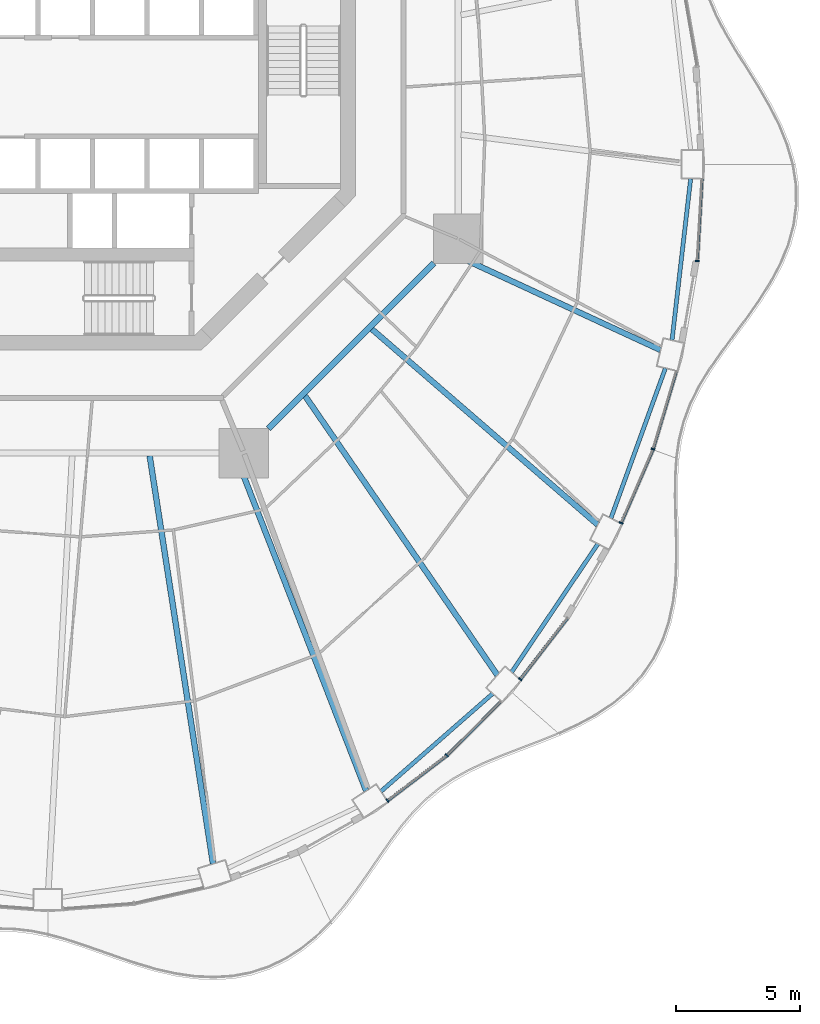
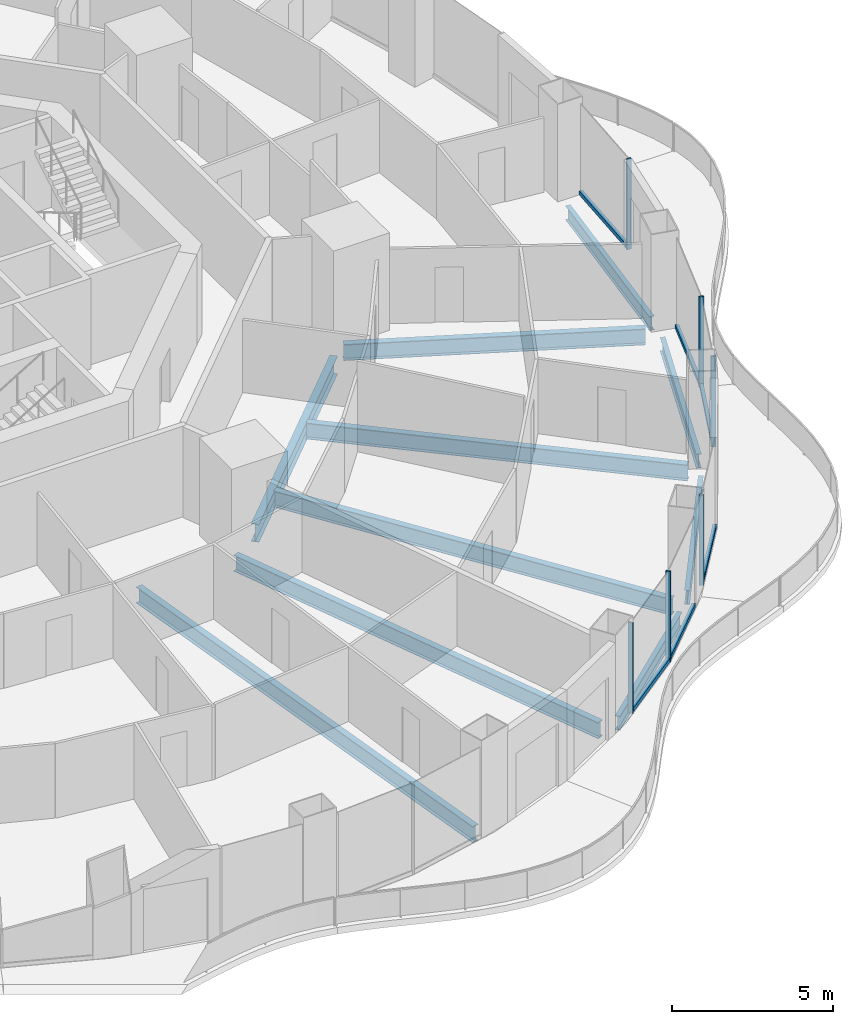
# One storey, part 5 of 19: 12 members, 10 beams, 6 elements without a shape of their own.
"""IFC4 building model written with IfcOpenShell, lengths in metres."""

from ifc_helpers import new_model, si_unit, direction, frame, origin, origin_2d, place, context, subcontext, project, spatial, rectangle, i_section, extrude, material, layer, layer_set, material_profile, profile_set, type_object, element, aggregate, save


model = new_model("IFC4")

# Units and contexts
model_context = context("Model", 3, precision=1e-05, world=origin(), true_north=direction((0.0, 1.0)))
body_context = subcontext(model_context, "Body", "Model", "MODEL_VIEW")
ifc_project = project(units=[si_unit("LENGTHUNIT", "METRE"), si_unit("AREAUNIT", "SQUARE_METRE"), si_unit("VOLUMEUNIT", "CUBIC_METRE"), si_unit("PLANEANGLEUNIT", "RADIAN"), si_unit("MASSUNIT", "GRAM", prefix="KILO")], contexts=[model_context])

# Site, building, storey
site_placement = place(None, origin())
site = spatial("IfcSite", under=ifc_project, at=site_placement, CompositionType="ELEMENT")
building_placement = place(site_placement, origin())
building = spatial("IfcBuilding", under=site, at=building_placement, Name="Nagisa Residences", CompositionType="ELEMENT")
storey_placement = place(building_placement, frame((0.0, 0.0, 127.0)))
storey = spatial("IfcBuildingStorey", under=building, at=storey_placement, Name="L31", CompositionType="ELEMENT", Elevation=127.0)

# Curtain wall, member
ifc_material_1 = material(Name="Concrete-coloured aluminium curtain wall system", Category="concrete")
ifc_layer = layer(ifc_material_1, 0.159912109375)
ifc_layer_set = layer_set([ifc_layer], Name="CW1 CURTAIN WALL")
curtain_wall_type = type_object("IfcCurtainWallType", Name="CW1 CURTAIN WALL", PredefinedType="NOTDEFINED", material=ifc_layer_set)
curtain_wall_1_placement = place(storey_placement, origin())
curtain_wall_1 = element("IfcCurtainWall", 1, at=curtain_wall_1_placement, inside=storey, type_object=curtain_wall_type, Name="cw:CW1:L31:40", PredefinedType="NOTDEFINED")
ifc_material_2 = material(Name="Concrete-coloured aluminium", Category="concrete")
ifc_material_profile_1 = material_profile(ifc_material_2, rectangle(XDim=0.159912109375, YDim=0.06005859375, at=origin_2d()), Name="CW1 MULLION 160x60")
ifc_profile_set_1 = profile_set([ifc_material_profile_1], Name="Concrete-coloured aluminium")
member_type_1 = type_object("IfcMemberType", Name="CW1 MULLION 160x60", PredefinedType="MULLION", material=ifc_profile_set_1)
member_1_placement = place(storey_placement, frame((11.920654296875, -28.822265625, 0.0), z_axis=(0.0, 0.0, 1.0), x_axis=(-0.605255421737, 0.79603132756, 0.0)))
member_1 = element("IfcMember", 2, at=member_1_placement, type_object=member_type_1, Name="CW1 mullion", PredefinedType="MULLION", context=body_context, shape_type="SweptSolid", body=[
    extrude(rectangle(XDim=0.159912109375, YDim=0.06005859375, at=origin_2d()), origin(), (0.0, 0.0, 1.0), 3.43994140625),
])

curtain_wall_2_placement = place(storey_placement, origin())
curtain_wall_2 = element("IfcCurtainWall", 3, at=curtain_wall_2_placement, inside=storey, type_object=curtain_wall_type, Name="cw:CW1:L31:41", PredefinedType="NOTDEFINED")
member_2_placement = place(storey_placement, frame((14.318115234375, -26.9951171875, 0.0), z_axis=(0.0, 0.0, 1.0), x_axis=(-0.706376885714, 0.707835924016, 0.0)))
member_2 = element("IfcMember", 4, at=member_2_placement, type_object=member_type_1, Name="CW1 mullion", PredefinedType="MULLION", context=body_context, shape_type="SweptSolid", body=[
    extrude(rectangle(XDim=0.159912109375, YDim=0.06005859375, at=origin_2d()), origin(), (0.0, 0.0, 1.0), 3.43994140625),
])

curtain_wall_3_placement = place(storey_placement, origin())
curtain_wall_3 = element("IfcCurtainWall", 5, at=curtain_wall_3_placement, inside=storey, type_object=curtain_wall_type, Name="cw:CW1:L31:42", PredefinedType="NOTDEFINED")
member_3_placement = place(storey_placement, frame((17.2841796875, -23.9208984375, 0.0), z_axis=(0.0, 0.0, 1.0), x_axis=(-0.792070340816, 0.610429828235, 0.0)))
member_3 = element("IfcMember", 6, at=member_3_placement, type_object=member_type_1, Name="CW1 mullion", PredefinedType="MULLION", context=body_context, shape_type="SweptSolid", body=[
    extrude(rectangle(XDim=0.159912109375, YDim=0.06005859375, at=origin_2d()), origin(), (0.0, 0.0, 1.0), 3.43994140625),
])

curtain_wall_4_placement = place(storey_placement, origin())
curtain_wall_4 = element("IfcCurtainWall", 7, at=curtain_wall_4_placement, inside=storey, type_object=curtain_wall_type, Name="cw:CW1:L31:44", PredefinedType="NOTDEFINED")
member_4_placement = place(storey_placement, frame((21.357177734375, -17.605224609375, 0.0), z_axis=(0.0, 0.0, 1.0), x_axis=(-0.917543276295, 0.397635934147, 0.0)))
member_4 = element("IfcMember", 8, at=member_4_placement, type_object=member_type_1, Name="CW1 mullion", PredefinedType="MULLION", context=body_context, shape_type="SweptSolid", body=[
    extrude(rectangle(XDim=0.159912109375, YDim=0.06005859375, at=origin_2d()), origin(), (0.0, 0.0, 1.0), 3.43994140625),
])

curtain_wall_5_placement = place(storey_placement, origin())
curtain_wall_5 = element("IfcCurtainWall", 9, at=curtain_wall_5_placement, inside=storey, type_object=curtain_wall_type, Name="cw:CW1:L31:45", PredefinedType="NOTDEFINED")
member_5_placement = place(storey_placement, frame((22.64697265625, -14.62109375, 0.0), z_axis=(0.0, 0.0, 1.0), x_axis=(-0.958271310082, 0.285860274038, 0.0)))
member_5 = element("IfcMember", 10, at=member_5_placement, type_object=member_type_1, Name="CW1 mullion", PredefinedType="MULLION", context=body_context, shape_type="SweptSolid", body=[
    extrude(rectangle(XDim=0.159912109375, YDim=0.06005859375, at=origin_2d()), origin(), (0.0, 0.0, 1.0), 3.43994140625),
])

curtain_wall_6_placement = place(storey_placement, origin())
curtain_wall_6 = element("IfcCurtainWall", 11, at=curtain_wall_6_placement, inside=storey, type_object=curtain_wall_type, Name="cw:CW1:L31:47", PredefinedType="NOTDEFINED")
member_6_placement = place(storey_placement, frame((24.429931640625, -7.0244140625, 0.0), z_axis=(0.0, 0.0, 1.0), x_axis=(-0.998345305184, 0.057503492216, 0.0)))
member_6 = element("IfcMember", 12, at=member_6_placement, type_object=member_type_1, Name="CW1 mullion", PredefinedType="MULLION", context=body_context, shape_type="SweptSolid", body=[
    extrude(rectangle(XDim=0.159912109375, YDim=0.06005859375, at=origin_2d()), origin(), (0.0, 0.0, 1.0), 3.43994140625),
])

# Member
ifc_material_3 = material(Name="Concrete-coloured aluminium", Category="concrete")
ifc_material_profile_2 = material_profile(ifc_material_3, rectangle(XDim=0.1201171875, YDim=0.14990234375, at=origin_2d()), Name="CW1 TRANSOM 120x150")
ifc_profile_set_2 = profile_set([ifc_material_profile_2], Name="Concrete-coloured aluminium")
member_type_2 = type_object("IfcMemberType", Name="CW1 TRANSOM 120x150", PredefinedType="USERDEFINED", material=ifc_profile_set_2)
member_7_placement = place(storey_placement, frame((11.896728515625, -28.840576171875, 0.074951171875), z_axis=(0.796022231079, 0.605267385233, 0.0), x_axis=(-0.605267385233, 0.796022231079, 0.0)))
member_7 = element("IfcMember", 13, at=member_7_placement, type_object=member_type_2, Name="CW1 transom", ObjectType="TRANSOM", PredefinedType="USERDEFINED", context=body_context, shape_type="SweptSolid", body=[
    extrude(rectangle(XDim=0.1201171875, YDim=0.14990234375, at=origin_2d()), origin(), (0.0, 0.0, 1.0), 3.025634765625),
])

aggregate(curtain_wall_1, [member_1, member_7])

member_8_placement = place(storey_placement, frame((14.296875, -27.016357421875, 0.074951171875), z_axis=(0.707857739375, 0.706355024621, 0.0), x_axis=(-0.706355024621, 0.707857739375, 0.0)))
member_8 = element("IfcMember", 14, at=member_8_placement, type_object=member_type_2, Name="CW1 transom", ObjectType="TRANSOM", PredefinedType="USERDEFINED", context=body_context, shape_type="SweptSolid", body=[
    extrude(rectangle(XDim=0.1201171875, YDim=0.14990234375, at=origin_2d()), origin(), (0.0, 0.0, 1.0), 3.0869140625),
])

aggregate(curtain_wall_2, [member_2, member_8])

member_9_placement = place(storey_placement, frame((17.265869140625, -23.94482421875, 0.074951171875), z_axis=(0.610429847179, 0.792070326217, 0.0), x_axis=(-0.792070326217, 0.610429847179, 0.0)))
member_9 = element("IfcMember", 15, at=member_9_placement, type_object=member_type_2, Name="CW1 transom", ObjectType="TRANSOM", PredefinedType="USERDEFINED", context=body_context, shape_type="SweptSolid", body=[
    extrude(rectangle(XDim=0.1201171875, YDim=0.14990234375, at=origin_2d()), origin(), (0.0, 0.0, 1.0), 3.149169921875),
])

aggregate(curtain_wall_3, [member_3, member_9])

member_10_placement = place(storey_placement, frame((21.34521484375, -17.6328125, 0.074951171875), z_axis=(0.397666272939, 0.917530127771, 0.0), x_axis=(-0.917530127771, 0.397666272939, 0.0)))
member_10 = element("IfcMember", 16, at=member_10_placement, type_object=member_type_2, Name="CW1 transom", ObjectType="TRANSOM", PredefinedType="USERDEFINED", context=body_context, shape_type="SweptSolid", body=[
    extrude(rectangle(XDim=0.1201171875, YDim=0.14990234375, at=origin_2d()), origin(), (0.0, 0.0, 1.0), 3.260498046875),
])

aggregate(curtain_wall_4, [member_4, member_10])

member_11_placement = place(storey_placement, frame((22.638427734375, -14.64990234375, 0.074951171875), z_axis=(0.285909915381, 0.958256500258, 0.0), x_axis=(-0.958256500258, 0.285909915381, 0.0)))
member_11 = element("IfcMember", 17, at=member_11_placement, type_object=member_type_2, Name="CW1 transom", ObjectType="TRANSOM", PredefinedType="USERDEFINED", context=body_context, shape_type="SweptSolid", body=[
    extrude(rectangle(XDim=0.1201171875, YDim=0.14990234375, at=origin_2d()), origin(), (0.0, 0.0, 1.0), 3.302978515625),
])

aggregate(curtain_wall_5, [member_5, member_11])

member_12_placement = place(storey_placement, frame((24.42822265625, -7.054443359375, 0.074951171875), z_axis=(0.05746514539, 0.998347513176, 0.0), x_axis=(-0.998347513176, 0.05746514539, 0.0)))
member_12 = element("IfcMember", 18, at=member_12_placement, type_object=member_type_2, Name="CW1 transom", ObjectType="TRANSOM", PredefinedType="USERDEFINED", context=body_context, shape_type="SweptSolid", body=[
    extrude(rectangle(XDim=0.1201171875, YDim=0.14990234375, at=origin_2d()), origin(), (0.0, 0.0, 1.0), 3.347900390625),
])

aggregate(curtain_wall_6, [member_6, member_12])

# Beams
ifc_material_4 = material(Name="Steel ASTM A572 Gr 50", Category="steel")
ifc_material_profile_3 = material_profile(ifc_material_4, i_section(OverallWidth=0.25390625, OverallDepth=0.68408203125, WebThickness=0.012451171875, FlangeThickness=0.018798828125, at=origin_2d()), Name="W690x140")
ifc_profile_set_3 = profile_set([ifc_material_profile_3], Name="Steel ASTM A572 Gr 50")
beam_type_1 = type_object("IfcBeamType", Name="Inner ring beam W690x140", PredefinedType="BEAM", material=ifc_profile_set_3)
beam_1_placement = place(storey_placement, frame((7.10888671875, -13.796142578125, -0.60205078125), z_axis=(0.707106781187, 0.707106781187, 0.0), x_axis=(-0.707106781187, 0.707106781187, 0.0)))
element("IfcBeam", 19, at=beam_1_placement, inside=storey, type_object=beam_type_1, Name="beam:L31:ib7", PredefinedType="BEAM", context=body_context, shape_type="SweptSolid", body=[
    extrude(i_section(OverallWidth=0.25390625, OverallDepth=0.68408203125, WebThickness=0.012451171875, FlangeThickness=0.018798828125, at=origin_2d()), origin(), (0.0, 0.0, 1.0), 9.457275390625),
])
ifc_material_5 = material(Name="Steel ASTM A572 Gr 50", Category="steel")
ifc_material_profile_4 = material_profile(ifc_material_5, i_section(OverallWidth=0.166015625, OverallDepth=0.534912109375, WebThickness=0.01025390625, FlangeThickness=0.0166015625, at=origin_2d()), Name="W530x85")
ifc_profile_set_4 = profile_set([ifc_material_profile_4], Name="Steel ASTM A572 Gr 50")
beam_type_2 = type_object("IfcBeamType", Name="Perimeter ring beam W530x85", PredefinedType="BEAM", material=ifc_profile_set_4)
beam_2_placement = place(storey_placement, frame((11.658203125, -28.448486328125, -0.527587890625), z_axis=(0.75252371036, 0.658565156493, 0.0), x_axis=(-0.658565156493, 0.75252371036, 0.0)))
element("IfcBeam", 20, at=beam_2_placement, inside=storey, type_object=beam_type_2, Name="beam:L31:pb21", PredefinedType="BEAM", context=body_context, shape_type="SweptSolid", body=[
    extrude(i_section(OverallWidth=0.166015625, OverallDepth=0.534912109375, WebThickness=0.01025390625, FlangeThickness=0.0166015625, at=origin_2d()), origin(), (0.0, 0.0, 1.0), 5.994384765625),
])
beam_3_placement = place(storey_placement, frame((16.93603515625, -23.6298828125, -0.527587890625), z_axis=(0.558187951157, 0.82971453596, 0.0), x_axis=(-0.82971453596, 0.558187951157, 0.0)))
element("IfcBeam", 21, at=beam_3_placement, inside=storey, type_object=beam_type_2, Name="beam:L31:pb22", PredefinedType="BEAM", context=body_context, shape_type="SweptSolid", body=[
    extrude(i_section(OverallWidth=0.166015625, OverallDepth=0.534912109375, WebThickness=0.01025390625, FlangeThickness=0.0166015625, at=origin_2d()), origin(), (0.0, 0.0, 1.0), 6.24267578125),
])
beam_4_placement = place(storey_placement, frame((20.946533203125, -17.415771484375, -0.527587890625), z_axis=(0.341332802315, 0.93994250785, 0.0), x_axis=(-0.93994250785, 0.341332802315, 0.0)))
element("IfcBeam", 22, at=beam_4_placement, inside=storey, type_object=beam_type_2, Name="beam:L31:pb23", PredefinedType="BEAM", context=body_context, shape_type="SweptSolid", body=[
    extrude(i_section(OverallWidth=0.166015625, OverallDepth=0.534912109375, WebThickness=0.01025390625, FlangeThickness=0.0166015625, at=origin_2d()), origin(), (0.0, 0.0, 1.0), 6.450927734375),
])
beam_5_placement = place(storey_placement, frame((23.414794921875, -10.22314453125, -0.527587890625), z_axis=(0.114660786771, 0.993404703017, 0.0), x_axis=(-0.993404703017, 0.114660786771, 0.0)))
element("IfcBeam", 23, at=beam_5_placement, inside=storey, type_object=beam_type_2, Name="beam:L31:pb24", PredefinedType="BEAM", context=body_context, shape_type="SweptSolid", body=[
    extrude(i_section(OverallWidth=0.166015625, OverallDepth=0.534912109375, WebThickness=0.01025390625, FlangeThickness=0.0166015625, at=origin_2d()), origin(), (0.0, 0.0, 1.0), 6.568603515625),
])
ifc_material_6 = material(Name="Steel ASTM A572 Gr 50", Category="steel")
ifc_material_profile_5 = material_profile(ifc_material_6, i_section(OverallWidth=0.22900390625, OverallDepth=0.612060546875, WebThickness=0.011962890625, FlangeThickness=0.01953125, at=origin_2d()), Name="W610x125")
ifc_profile_set_5 = profile_set([ifc_material_profile_5], Name="Steel ASTM A572 Gr 50")
beam_type_3 = type_object("IfcBeamType", Name="Radial beam W610x125", PredefinedType="BEAM", material=ifc_profile_set_5)
beam_6_placement = place(storey_placement, frame((4.87158203125, -31.371337890625, -0.56591796875), z_axis=(-0.153441816097, 0.988157684316, 0.0), x_axis=(-0.988157684316, -0.153441816097, 0.0)))
element("IfcBeam", 24, at=beam_6_placement, inside=storey, type_object=beam_type_3, Name="beam:L31:rb20", PredefinedType="BEAM", context=body_context, shape_type="SweptSolid", body=[
    extrude(i_section(OverallWidth=0.22900390625, OverallDepth=0.612060546875, WebThickness=0.011962890625, FlangeThickness=0.01953125, at=origin_2d()), origin(), (0.0, 0.0, 1.0), 16.679443359375),
])
beam_7_placement = place(storey_placement, frame((11.057861328125, -28.424072265625, -0.56591796875), z_axis=(-0.362553351511, 0.931963018208, 0.0), x_axis=(-0.931963018208, -0.362553351511, 0.0)))
element("IfcBeam", 25, at=beam_7_placement, inside=storey, type_object=beam_type_3, Name="beam:L31:rb21", PredefinedType="BEAM", context=body_context, shape_type="SweptSolid", body=[
    extrude(i_section(OverallWidth=0.22900390625, OverallDepth=0.612060546875, WebThickness=0.011962890625, FlangeThickness=0.01953125, at=origin_2d()), origin(), (0.0, 0.0, 1.0), 14.521728515625),
])
beam_8_placement = place(storey_placement, frame((16.357666015625, -23.74951171875, -0.56591796875), z_axis=(-0.567235127754, 0.823555893575, 0.0), x_axis=(-0.823555893575, -0.567235127754, 0.0)))
element("IfcBeam", 26, at=beam_8_placement, inside=storey, type_object=beam_type_3, Name="beam:L31:rb22", PredefinedType="BEAM", context=body_context, shape_type="SweptSolid", body=[
    extrude(i_section(OverallWidth=0.22900390625, OverallDepth=0.612060546875, WebThickness=0.011962890625, FlangeThickness=0.01953125, at=origin_2d()), origin(), (0.0, 0.0, 1.0), 13.697509765625),
])
beam_9_placement = place(storey_placement, frame((20.41162109375, -17.6748046875, -0.56591796875), z_axis=(-0.755973913649, 0.654601742957, 0.0), x_axis=(-0.654601742957, -0.755973913649, 0.0)))
element("IfcBeam", 27, at=beam_9_placement, inside=storey, type_object=beam_type_3, Name="beam:L31:rb23", PredefinedType="BEAM", context=body_context, shape_type="SweptSolid", body=[
    extrude(i_section(OverallWidth=0.22900390625, OverallDepth=0.612060546875, WebThickness=0.011962890625, FlangeThickness=0.01953125, at=origin_2d()), origin(), (0.0, 0.0, 1.0), 12.072998046875),
])
beam_10_placement = place(storey_placement, frame((22.94921875, -10.618896484375, -0.56591796875), z_axis=(-0.907551024181, 0.419941827528, 0.0), x_axis=(-0.419941827528, -0.907551024181, 0.0)))
element("IfcBeam", 28, at=beam_10_placement, inside=storey, type_object=beam_type_3, Name="beam:L31:rb24", PredefinedType="BEAM", context=body_context, shape_type="SweptSolid", body=[
    extrude(i_section(OverallWidth=0.22900390625, OverallDepth=0.612060546875, WebThickness=0.011962890625, FlangeThickness=0.01953125, at=origin_2d()), origin(), (0.0, 0.0, 1.0), 9.424072265625),
])

save(model, "model.ifc")
